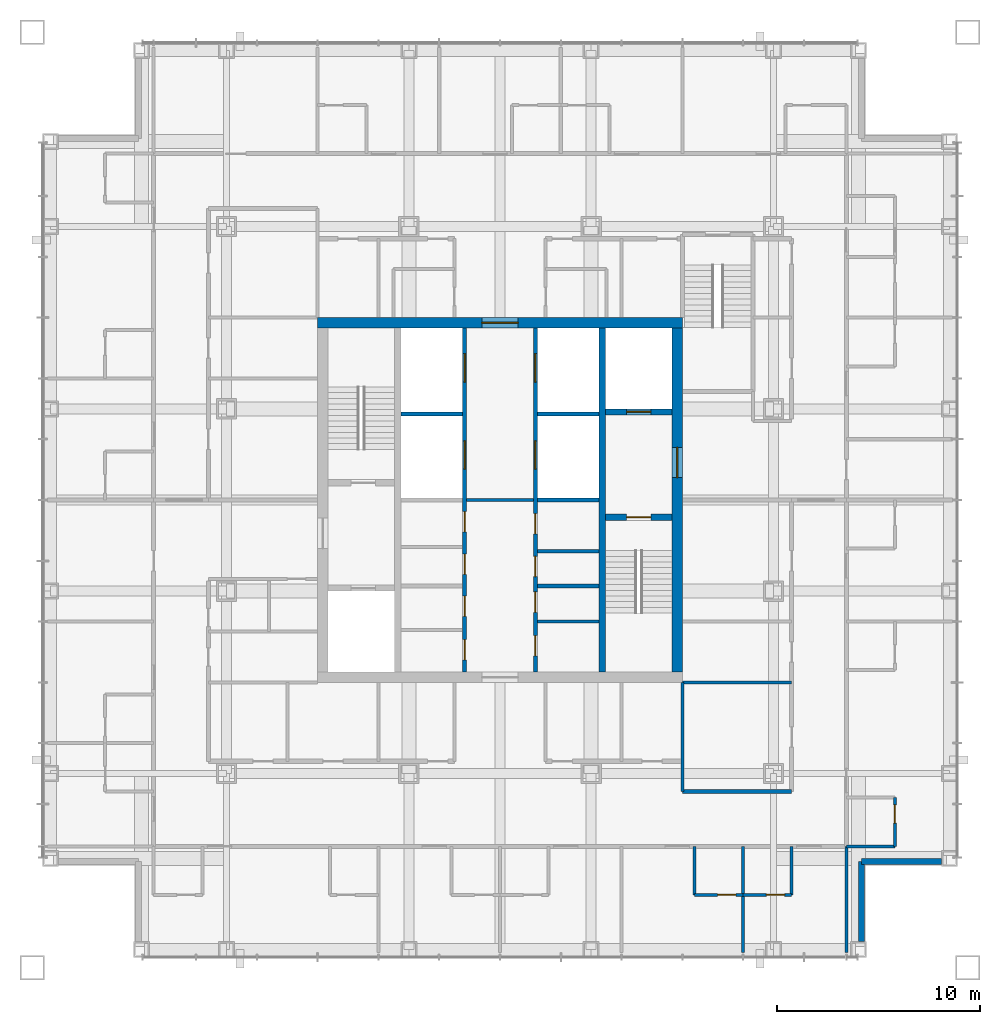
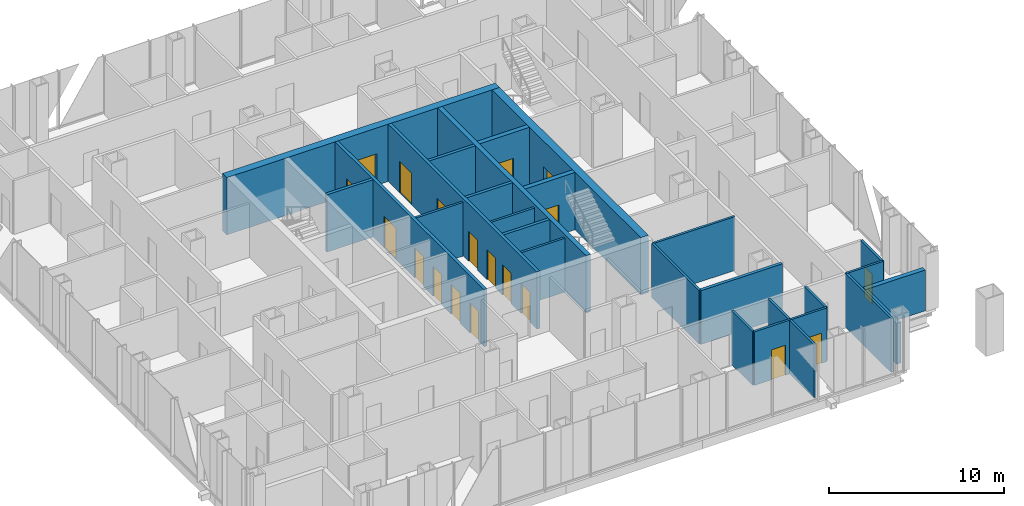
# One storey, part 14 of 18: 27 walls, 19 doors, 19 openings.
"""IFC4 building model written with IfcOpenShell, lengths in metres."""

from ifc_helpers import new_model, si_unit, direction, frame, frame_2d, origin, place, context, subcontext, project, spatial, rectangle, extrude, material, layer, layer_set, type_object, element, fill, save


model = new_model("IFC4")

# Units and contexts
model_context = context("Model", 3, precision=1e-05, world=origin(), true_north=direction((0.0, 1.0)))
body_context = subcontext(model_context, "Body", "Model", "MODEL_VIEW")
ifc_project = project(units=[si_unit("LENGTHUNIT", "METRE"), si_unit("AREAUNIT", "SQUARE_METRE"), si_unit("VOLUMEUNIT", "CUBIC_METRE"), si_unit("PLANEANGLEUNIT", "RADIAN"), si_unit("MASSUNIT", "GRAM", prefix="KILO")], contexts=[model_context])

# Site, building, storey
site_placement = place(None, origin())
site = spatial("IfcSite", under=ifc_project, at=site_placement, CompositionType="ELEMENT")
building_placement = place(site_placement, origin())
building = spatial("IfcBuilding", under=site, at=building_placement, Name="Malebo Sky Hospital", CompositionType="ELEMENT")
storey_placement = place(building_placement, frame((0.0, 0.0, 225.0)))
storey = spatial("IfcBuildingStorey", under=building, at=storey_placement, Name="L54", CompositionType="ELEMENT", Elevation=225.0)

# Wall, openings, doors
ifc_material_1 = material(Name="Concrete C80/95", Category="concrete")
ifc_layer_1 = layer(ifc_material_1, 0.199951171875)
ifc_layer_set_1 = layer_set([ifc_layer_1], Name="CORE INNER WALL 200")
wall_type_1 = type_object("IfcWallType", Name="CORE INNER WALL 200", PredefinedType="SHEAR", material=ifc_layer_set_1)
wall_1_placement = place(storey_placement, frame((58.25, 53.5, 0.0), z_axis=(0.0, 0.0, 1.0), x_axis=(0.0, 1.0, 0.0)))
wall_1 = element("IfcWall", 1, at=wall_1_placement, inside=storey, type_object=wall_type_1, Name="Core wall LW L54", PredefinedType="SHEAR", context=body_context, shape_type="SweptSolid", body=[
    extrude(rectangle(XDim=17.0, YDim=0.199951171875, at=frame_2d((8.5, 0.0))), origin(), (0.0, 0.0, 1.0), 4.0),
])
opening_1_placement = place(wall_1_placement, frame((0.60009765625, 0.0, 0.0)))
opening_1 = element("IfcOpeningElement", 2, at=opening_1_placement, cuts=wall_1, Name="Opening D17", PredefinedType="OPENING", context=body_context, shape_type="SweptSolid", body=[
    extrude(rectangle(XDim=1.0, YDim=2.10009765625, at=frame_2d((0.5, 1.050048828125))), frame((0.0, 0.10986328125, 0.0), z_axis=(0.0, -1.0, 0.0), x_axis=(1.0, 0.0, 0.0)), (0.0, 0.0, 1.0), 0.219970703125),
])
opening_2_placement = place(wall_1_placement, frame((2.75, 0.0, 0.0)))
opening_2 = element("IfcOpeningElement", 3, at=opening_2_placement, cuts=wall_1, Name="Opening D17", PredefinedType="OPENING", context=body_context, shape_type="SweptSolid", body=[
    extrude(rectangle(XDim=1.0, YDim=2.10009765625, at=frame_2d((0.5, 1.050048828125))), frame((0.0, 0.10986328125, 0.0), z_axis=(0.0, -1.0, 0.0), x_axis=(1.0, 0.0, 0.0)), (0.0, 0.0, 1.0), 0.219970703125),
])
opening_3_placement = place(wall_1_placement, frame((4.823974609375, 0.0, 0.0)))
opening_3 = element("IfcOpeningElement", 4, at=opening_3_placement, cuts=wall_1, Name="Opening D17", PredefinedType="OPENING", context=body_context, shape_type="SweptSolid", body=[
    extrude(rectangle(XDim=1.0, YDim=2.10009765625, at=frame_2d((0.5, 1.050048828125))), frame((0.0, 0.10986328125, 0.0), z_axis=(0.0, -1.0, 0.0), x_axis=(1.0, 0.0, 0.0)), (0.0, 0.0, 1.0), 0.219970703125),
])
opening_4_placement = place(wall_1_placement, frame((6.924072265625, 0.0, 0.0)))
opening_4 = element("IfcOpeningElement", 5, at=opening_4_placement, cuts=wall_1, Name="Opening D17", PredefinedType="OPENING", context=body_context, shape_type="SweptSolid", body=[
    extrude(rectangle(XDim=1.0, YDim=2.10009765625, at=frame_2d((0.5, 1.050048828125))), frame((0.0, 0.10986328125, 0.0), z_axis=(0.0, -1.0, 0.0), x_axis=(1.0, 0.0, 0.0)), (0.0, 0.0, 1.0), 0.219970703125),
])
opening_5_placement = place(wall_1_placement, frame((10.02490234375, 0.0, 0.0)))
opening_5 = element("IfcOpeningElement", 6, at=opening_5_placement, cuts=wall_1, Name="Opening LD1", PredefinedType="OPENING", context=body_context, shape_type="SweptSolid", body=[
    extrude(rectangle(XDim=1.39990234375, YDim=2.199951171875, at=frame_2d((0.699951171875, 1.10009765625))), frame((0.0, 0.10986328125, 0.0), z_axis=(0.0, -1.0, 0.0), x_axis=(1.0, 0.0, 0.0)), (0.0, 0.0, 1.0), 0.219970703125),
])
opening_6_placement = place(wall_1_placement, frame((14.324951171875, 0.0, 0.0)))
opening_6 = element("IfcOpeningElement", 7, at=opening_6_placement, cuts=wall_1, Name="Opening LD1", PredefinedType="OPENING", context=body_context, shape_type="SweptSolid", body=[
    extrude(rectangle(XDim=1.39990234375, YDim=2.199951171875, at=frame_2d((0.699951171875, 1.10009765625))), frame((0.0, 0.10986328125, 0.0), z_axis=(0.0, -1.0, 0.0), x_axis=(1.0, 0.0, 0.0)), (0.0, 0.0, 1.0), 0.219970703125),
])
ifc_material_2 = material(Name="Hardwood-faced door leaf in steel frame", Category="steel")
door_type_1 = type_object("IfcDoorType", Name="FIRE DOOR 1000", OperationType="SINGLE_SWING_LEFT", PredefinedType="DOOR", material=ifc_material_2)
door_1_placement = place(opening_1_placement, origin())
door_1 = element("IfcDoor", 8, at=door_1_placement, inside=storey, type_object=door_type_1, Name="Cleaning equipment store door", OperationType="SINGLE_SWING_RIGHT", OverallHeight=2.10009765625, OverallWidth=1.0, PredefinedType="DOOR", context=body_context, shape_type="SweptSolid", body=[
    extrude(rectangle(XDim=1.0, YDim=2.10009765625, at=frame_2d((0.5, 1.050048828125))), frame((0.0, 0.02490234375, 0.0), z_axis=(0.0, -1.0, 0.0), x_axis=(1.0, 0.0, 0.0)), (0.0, 0.0, 1.0), 0.050048828125),
])
fill(opening_1, door_1)
door_2_placement = place(opening_2_placement, origin())
door_2 = element("IfcDoor", 9, at=door_2_placement, inside=storey, type_object=door_type_1, Name="Archive store door", OperationType="SINGLE_SWING_RIGHT", OverallHeight=2.10009765625, OverallWidth=1.0, PredefinedType="DOOR", context=body_context, shape_type="SweptSolid", body=[
    extrude(rectangle(XDim=1.0, YDim=2.10009765625, at=frame_2d((0.5, 1.050048828125))), frame((0.0, 0.02490234375, 0.0), z_axis=(0.0, -1.0, 0.0), x_axis=(1.0, 0.0, 0.0)), (0.0, 0.0, 1.0), 0.050048828125),
])
fill(opening_2, door_2)
door_3_placement = place(opening_3_placement, origin())
door_3 = element("IfcDoor", 10, at=door_3_placement, inside=storey, type_object=door_type_1, Name="General store door", OperationType="SINGLE_SWING_RIGHT", OverallHeight=2.10009765625, OverallWidth=1.0, PredefinedType="DOOR", context=body_context, shape_type="SweptSolid", body=[
    extrude(rectangle(XDim=1.0, YDim=2.10009765625, at=frame_2d((0.5, 1.050048828125))), frame((0.0, 0.02490234375, 0.0), z_axis=(0.0, -1.0, 0.0), x_axis=(1.0, 0.0, 0.0)), (0.0, 0.0, 1.0), 0.050048828125),
])
fill(opening_3, door_3)
door_4_placement = place(opening_4_placement, origin())
door_4 = element("IfcDoor", 11, at=door_4_placement, inside=storey, type_object=door_type_1, Name="Records store door", OperationType="SINGLE_SWING_RIGHT", OverallHeight=2.10009765625, OverallWidth=1.0, PredefinedType="DOOR", context=body_context, shape_type="SweptSolid", body=[
    extrude(rectangle(XDim=1.0, YDim=2.10009765625, at=frame_2d((0.5, 1.050048828125))), frame((0.0, 0.02490234375, 0.0), z_axis=(0.0, -1.0, 0.0), x_axis=(1.0, 0.0, 0.0)), (0.0, 0.0, 1.0), 0.050048828125),
])
fill(opening_4, door_4)
ifc_material_3 = material(Name="Stainless steel sliding landing door", Category="steel")
door_type_2 = type_object("IfcDoorType", Name="LIFT LANDING DOOR 1400", OperationType="SLIDING_TO_LEFT", PredefinedType="DOOR", material=ifc_material_3)
door_5_placement = place(opening_5_placement, origin())
door_5 = element("IfcDoor", 12, at=door_5_placement, inside=storey, type_object=door_type_2, Name="Lift W3 landing door", OperationType="SLIDING_TO_LEFT", OverallHeight=2.199951171875, OverallWidth=1.39990234375, PredefinedType="DOOR", context=body_context, shape_type="SweptSolid", body=[
    extrude(rectangle(XDim=1.39990234375, YDim=2.199951171875, at=frame_2d((0.699951171875, 1.10009765625))), frame((0.0, 0.02490234375, 0.0), z_axis=(0.0, -1.0, 0.0), x_axis=(1.0, 0.0, 0.0)), (0.0, 0.0, 1.0), 0.050048828125),
])
fill(opening_5, door_5)
door_6_placement = place(opening_6_placement, origin())
door_6 = element("IfcDoor", 13, at=door_6_placement, inside=storey, type_object=door_type_2, Name="Lift W4 landing door", OperationType="SLIDING_TO_LEFT", OverallHeight=2.199951171875, OverallWidth=1.39990234375, PredefinedType="DOOR", context=body_context, shape_type="SweptSolid", body=[
    extrude(rectangle(XDim=1.39990234375, YDim=2.199951171875, at=frame_2d((0.699951171875, 1.10009765625))), frame((0.0, 0.02490234375, 0.0), z_axis=(0.0, -1.0, 0.0), x_axis=(1.0, 0.0, 0.0)), (0.0, 0.0, 1.0), 0.050048828125),
])
fill(opening_6, door_6)

wall_2_placement = place(storey_placement, frame((61.75, 53.5, 0.0), z_axis=(0.0, 0.0, 1.0), x_axis=(0.0, 1.0, 0.0)))
wall_2 = element("IfcWall", 14, at=wall_2_placement, inside=storey, type_object=wall_type_1, Name="Core wall LE L54", PredefinedType="SHEAR", context=body_context, shape_type="SweptSolid", body=[
    extrude(rectangle(XDim=17.0, YDim=0.199951171875, at=frame_2d((8.5, 0.0))), origin(), (0.0, 0.0, 1.0), 4.0),
])
opening_7_placement = place(wall_2_placement, frame((0.8076171875, 0.0, 0.0)))
opening_7 = element("IfcOpeningElement", 15, at=opening_7_placement, cuts=wall_2, Name="Opening D17", PredefinedType="OPENING", context=body_context, shape_type="SweptSolid", body=[
    extrude(rectangle(XDim=1.0, YDim=2.10009765625, at=frame_2d((0.5, 1.050048828125))), frame((0.0, 0.10986328125, 0.0), z_axis=(0.0, -1.0, 0.0), x_axis=(1.0, 0.0, 0.0)), (0.0, 0.0, 1.0), 0.219970703125),
])
opening_8_placement = place(wall_2_placement, frame((2.95751953125, 0.0, 0.0)))
opening_8 = element("IfcOpeningElement", 16, at=opening_8_placement, cuts=wall_2, Name="Opening D17", PredefinedType="OPENING", context=body_context, shape_type="SweptSolid", body=[
    extrude(rectangle(XDim=1.0, YDim=2.10009765625, at=frame_2d((0.5, 1.050048828125))), frame((0.0, 0.10986328125, 0.0), z_axis=(0.0, -1.0, 0.0), x_axis=(1.0, 0.0, 0.0)), (0.0, 0.0, 1.0), 0.219970703125),
])
opening_9_placement = place(wall_2_placement, frame((4.722412109375, 0.0, 0.0)))
opening_9 = element("IfcOpeningElement", 17, at=opening_9_placement, cuts=wall_2, Name="Opening D17", PredefinedType="OPENING", context=body_context, shape_type="SweptSolid", body=[
    extrude(rectangle(XDim=1.0, YDim=2.10009765625, at=frame_2d((0.5, 1.050048828125))), frame((0.0, 0.10986328125, 0.0), z_axis=(0.0, -1.0, 0.0), x_axis=(1.0, 0.0, 0.0)), (0.0, 0.0, 1.0), 0.219970703125),
])
opening_10_placement = place(wall_2_placement, frame((6.822509765625, 0.0, 0.0)))
opening_10 = element("IfcOpeningElement", 18, at=opening_10_placement, cuts=wall_2, Name="Opening D17", PredefinedType="OPENING", context=body_context, shape_type="SweptSolid", body=[
    extrude(rectangle(XDim=1.0, YDim=2.10009765625, at=frame_2d((0.5, 1.050048828125))), frame((0.0, 0.10986328125, 0.0), z_axis=(0.0, -1.0, 0.0), x_axis=(1.0, 0.0, 0.0)), (0.0, 0.0, 1.0), 0.219970703125),
])
opening_11_placement = place(wall_2_placement, frame((10.02490234375, 0.0, 0.0)))
opening_11 = element("IfcOpeningElement", 19, at=opening_11_placement, cuts=wall_2, Name="Opening LD1", PredefinedType="OPENING", context=body_context, shape_type="SweptSolid", body=[
    extrude(rectangle(XDim=1.39990234375, YDim=2.199951171875, at=frame_2d((0.699951171875, 1.10009765625))), frame((0.0, 0.10986328125, 0.0), z_axis=(0.0, -1.0, 0.0), x_axis=(1.0, 0.0, 0.0)), (0.0, 0.0, 1.0), 0.219970703125),
])
opening_12_placement = place(wall_2_placement, frame((14.324951171875, 0.0, 0.0)))
opening_12 = element("IfcOpeningElement", 20, at=opening_12_placement, cuts=wall_2, Name="Opening LD1", PredefinedType="OPENING", context=body_context, shape_type="SweptSolid", body=[
    extrude(rectangle(XDim=1.39990234375, YDim=2.199951171875, at=frame_2d((0.699951171875, 1.10009765625))), frame((0.0, 0.10986328125, 0.0), z_axis=(0.0, -1.0, 0.0), x_axis=(1.0, 0.0, 0.0)), (0.0, 0.0, 1.0), 0.219970703125),
])
door_7_placement = place(opening_7_placement, origin())
door_7 = element("IfcDoor", 21, at=door_7_placement, inside=storey, type_object=door_type_1, Name="Equipment store door", OperationType="SINGLE_SWING_RIGHT", OverallHeight=2.10009765625, OverallWidth=1.0, PredefinedType="DOOR", context=body_context, shape_type="SweptSolid", body=[
    extrude(rectangle(XDim=1.0, YDim=2.10009765625, at=frame_2d((0.5, 1.050048828125))), frame((0.0, 0.02490234375, 0.0), z_axis=(0.0, -1.0, 0.0), x_axis=(1.0, 0.0, 0.0)), (0.0, 0.0, 1.0), 0.050048828125),
])
fill(opening_7, door_7)
door_8_placement = place(opening_8_placement, origin())
door_8 = element("IfcDoor", 22, at=door_8_placement, inside=storey, type_object=door_type_1, Name="Linen store door", OperationType="SINGLE_SWING_RIGHT", OverallHeight=2.10009765625, OverallWidth=1.0, PredefinedType="DOOR", context=body_context, shape_type="SweptSolid", body=[
    extrude(rectangle(XDim=1.0, YDim=2.10009765625, at=frame_2d((0.5, 1.050048828125))), frame((0.0, 0.02490234375, 0.0), z_axis=(0.0, -1.0, 0.0), x_axis=(1.0, 0.0, 0.0)), (0.0, 0.0, 1.0), 0.050048828125),
])
fill(opening_8, door_8)
door_9_placement = place(opening_9_placement, origin())
door_9 = element("IfcDoor", 23, at=door_9_placement, inside=storey, type_object=door_type_1, Name="Supplies store door", OperationType="SINGLE_SWING_RIGHT", OverallHeight=2.10009765625, OverallWidth=1.0, PredefinedType="DOOR", context=body_context, shape_type="SweptSolid", body=[
    extrude(rectangle(XDim=1.0, YDim=2.10009765625, at=frame_2d((0.5, 1.050048828125))), frame((0.0, 0.02490234375, 0.0), z_axis=(0.0, -1.0, 0.0), x_axis=(1.0, 0.0, 0.0)), (0.0, 0.0, 1.0), 0.050048828125),
])
fill(opening_9, door_9)
door_10_placement = place(opening_10_placement, origin())
door_10 = element("IfcDoor", 24, at=door_10_placement, inside=storey, type_object=door_type_1, Name="Mattress store door", OperationType="SINGLE_SWING_RIGHT", OverallHeight=2.10009765625, OverallWidth=1.0, PredefinedType="DOOR", context=body_context, shape_type="SweptSolid", body=[
    extrude(rectangle(XDim=1.0, YDim=2.10009765625, at=frame_2d((0.5, 1.050048828125))), frame((0.0, 0.02490234375, 0.0), z_axis=(0.0, -1.0, 0.0), x_axis=(1.0, 0.0, 0.0)), (0.0, 0.0, 1.0), 0.050048828125),
])
fill(opening_10, door_10)
door_11_placement = place(opening_11_placement, origin())
door_11 = element("IfcDoor", 25, at=door_11_placement, inside=storey, type_object=door_type_2, Name="Lift E3 landing door", OperationType="SLIDING_TO_LEFT", OverallHeight=2.199951171875, OverallWidth=1.39990234375, PredefinedType="DOOR", context=body_context, shape_type="SweptSolid", body=[
    extrude(rectangle(XDim=1.39990234375, YDim=2.199951171875, at=frame_2d((0.699951171875, 1.10009765625))), frame((0.0, 0.02490234375, 0.0), z_axis=(0.0, -1.0, 0.0), x_axis=(1.0, 0.0, 0.0)), (0.0, 0.0, 1.0), 0.050048828125),
])
fill(opening_11, door_11)
door_12_placement = place(opening_12_placement, origin())
door_12 = element("IfcDoor", 26, at=door_12_placement, inside=storey, type_object=door_type_2, Name="Lift E4 landing door", OperationType="SLIDING_TO_LEFT", OverallHeight=2.199951171875, OverallWidth=1.39990234375, PredefinedType="DOOR", context=body_context, shape_type="SweptSolid", body=[
    extrude(rectangle(XDim=1.39990234375, YDim=2.199951171875, at=frame_2d((0.699951171875, 1.10009765625))), frame((0.0, 0.02490234375, 0.0), z_axis=(0.0, -1.0, 0.0), x_axis=(1.0, 0.0, 0.0)), (0.0, 0.0, 1.0), 0.050048828125),
])
fill(opening_12, door_12)

# Walls
for number, where, z_axis, x_axis, name in (
    (27, (61.85009765625, 57.75, 0.0), (0.0, 0.0, 1.0), (1.0, 0.0, 0.0), "Core wall SE0 L54"),
    (28, (61.85009765625, 62.0, 0.0), (0.0, 0.0, 1.0), (1.0, 0.0, 0.0), "Core wall SE1 L54"),
    (29, (55.10009765625, 66.25, 0.0), (0.0, 0.0, 1.0), (1.0, 0.0, 0.0), "Core wall SW2 L54"),
    (30, (61.85009765625, 66.25, 0.0), (0.0, 0.0, 1.0), (1.0, 0.0, 0.0), "Core wall SE2 L54"),
):
    element("IfcWall", number, at=place(storey_placement, frame(where, z_axis=z_axis, x_axis=x_axis)), inside=storey, type_object=wall_type_1, Name=name, PredefinedType="SHEAR", context=body_context, shape_type="SweptSolid", body=[
        extrude(rectangle(XDim=3.0498046875, YDim=0.199951171875, at=frame_2d((1.52490234375, 0.0))), origin(), (0.0, 0.0, 1.0), 4.0),
    ])
ifc_layer_2 = layer(ifc_material_1, 0.300048828125)
ifc_layer_set_2 = layer_set([ifc_layer_2], Name="CORE INNER WALL 300")
wall_type_2 = type_object("IfcWallType", Name="CORE INNER WALL 300", PredefinedType="SHEAR", material=ifc_layer_set_2)
wall_3_placement = place(storey_placement, frame((65.050048828125, 53.5, 0.0), z_axis=(0.0, 0.0, 1.0), x_axis=(0.0, 1.0, 0.0)))
element("IfcWall", 31, at=wall_3_placement, inside=storey, type_object=wall_type_2, Name="Core wall XE L54", PredefinedType="SHEAR", context=body_context, shape_type="SweptSolid", body=[
    extrude(rectangle(XDim=17.0, YDim=0.300048828125, at=frame_2d((8.5, 0.0))), origin(), (0.0, 0.0, 1.0), 4.0),
])

# Wall, opening, door
wall_4_placement = place(storey_placement, frame((65.199951171875, 61.14990234375, 0.0), z_axis=(0.0, 0.0, 1.0), x_axis=(1.0, 0.0, 0.0)))
wall_4 = element("IfcWall", 32, at=wall_4_placement, inside=storey, type_object=wall_type_2, Name="Core wall E1 L54", PredefinedType="SHEAR", context=body_context, shape_type="SweptSolid", body=[
    extrude(rectangle(XDim=3.300048828125, YDim=0.300048828125, at=frame_2d((1.64990234375, 0.0))), origin(), (0.0, 0.0, 1.0), 4.0),
])
opening_13_placement = place(wall_4_placement, frame((1.050048828125, 0.0, 0.0)))
opening_13 = element("IfcOpeningElement", 33, at=opening_13_placement, cuts=wall_4, Name="Opening D08", PredefinedType="OPENING", context=body_context, shape_type="SweptSolid", body=[
    extrude(rectangle(XDim=1.199951171875, YDim=2.10009765625, at=frame_2d((0.60009765625, 1.050048828125))), frame((0.0, 0.159912109375, 0.0), z_axis=(0.0, -1.0, 0.0), x_axis=(1.0, 0.0, 0.0)), (0.0, 0.0, 1.0), 0.320068359375),
])
door_type_3 = type_object("IfcDoorType", Name="STAIR DOOR 1200", OperationType="SINGLE_SWING_LEFT", PredefinedType="DOOR", material=ifc_material_2)
door_13_placement = place(opening_13_placement, origin())
door_13 = element("IfcDoor", 34, at=door_13_placement, inside=storey, type_object=door_type_3, Name="Stair S2 door", OperationType="SINGLE_SWING_LEFT", OverallHeight=2.10009765625, OverallWidth=1.199951171875, PredefinedType="DOOR", context=body_context, shape_type="SweptSolid", body=[
    extrude(rectangle(XDim=1.199951171875, YDim=2.10009765625, at=frame_2d((0.60009765625, 1.050048828125))), frame((0.0, 0.02490234375, 0.0), z_axis=(0.0, -1.0, 0.0), x_axis=(1.0, 0.0, 0.0)), (0.0, 0.0, 1.0), 0.050048828125),
])
fill(opening_13, door_13)

wall_5_placement = place(storey_placement, frame((65.199951171875, 66.35009765625, 0.0), z_axis=(0.0, 0.0, 1.0), x_axis=(1.0, 0.0, 0.0)))
wall_5 = element("IfcWall", 35, at=wall_5_placement, inside=storey, type_object=wall_type_2, Name="Core wall E2 L54", PredefinedType="SHEAR", context=body_context, shape_type="SweptSolid", body=[
    extrude(rectangle(XDim=3.300048828125, YDim=0.300048828125, at=frame_2d((1.64990234375, 0.0))), origin(), (0.0, 0.0, 1.0), 4.0),
])
opening_14_placement = place(wall_5_placement, frame((1.050048828125, 0.0, 0.0)))
opening_14 = element("IfcOpeningElement", 36, at=opening_14_placement, cuts=wall_5, Name="Opening LD2", PredefinedType="OPENING", context=body_context, shape_type="SweptSolid", body=[
    extrude(rectangle(XDim=1.199951171875, YDim=2.199951171875, at=frame_2d((0.60009765625, 1.10009765625))), frame((0.0, 0.159912109375, 0.0), z_axis=(0.0, -1.0, 0.0), x_axis=(1.0, 0.0, 0.0)), (0.0, 0.0, 1.0), 0.320068359375),
])
door_type_4 = type_object("IfcDoorType", Name="FIRE-FIGHTING LIFT LANDING DOOR 1200", OperationType="SLIDING_TO_LEFT", PredefinedType="DOOR", material=ifc_material_3)
door_14_placement = place(opening_14_placement, origin())
door_14 = element("IfcDoor", 37, at=door_14_placement, inside=storey, type_object=door_type_4, Name="Lift FL2 landing door", OperationType="SLIDING_TO_LEFT", OverallHeight=2.199951171875, OverallWidth=1.199951171875, PredefinedType="DOOR", context=body_context, shape_type="SweptSolid", body=[
    extrude(rectangle(XDim=1.199951171875, YDim=2.199951171875, at=frame_2d((0.60009765625, 1.10009765625))), frame((0.0, 0.02490234375, 0.0), z_axis=(0.0, -1.0, 0.0), x_axis=(1.0, 0.0, 0.0)), (0.0, 0.0, 1.0), 0.050048828125),
])
fill(opening_14, door_14)

ifc_layer_3 = layer(ifc_material_1, 0.5)
ifc_layer_set_3 = layer_set([ifc_layer_3], Name="CORE WALL 500")
wall_type_3 = type_object("IfcWallType", Name="CORE WALL 500", PredefinedType="SHEAR", material=ifc_layer_set_3)
wall_6_placement = place(storey_placement, frame((51.0, 70.75, 0.0), z_axis=(0.0, 0.0, 1.0), x_axis=(1.0, 0.0, 0.0)))
wall_6 = element("IfcWall", 38, at=wall_6_placement, inside=storey, type_object=wall_type_3, Name="Core wall N L54", PredefinedType="SHEAR", context=body_context, shape_type="SweptSolid", body=[
    extrude(rectangle(XDim=18.0, YDim=0.5, at=frame_2d((9.0, 0.0))), origin(), (0.0, 0.0, 1.0), 4.0),
])
opening_15_placement = place(wall_6_placement, frame((8.10009765625, 0.0, 0.0)))
opening_15 = element("IfcOpeningElement", 39, at=opening_15_placement, cuts=wall_6, Name="Opening D06", PredefinedType="OPENING", context=body_context, shape_type="SweptSolid", body=[
    extrude(rectangle(XDim=1.800048828125, YDim=2.199951171875, at=frame_2d((0.89990234375, 1.10009765625))), frame((0.0, 0.260009765625, 0.0), z_axis=(0.0, -1.0, 0.0), x_axis=(1.0, 0.0, 0.0)), (0.0, 0.0, 1.0), 0.52001953125),
])
door_type_5 = type_object("IfcDoorType", Name="LOBBY DOOR PAIR 1800", OperationType="DOUBLE_DOOR_SINGLE_SWING", PredefinedType="DOOR", material=ifc_material_2)
door_15_placement = place(opening_15_placement, origin())
door_15 = element("IfcDoor", 40, at=door_15_placement, inside=storey, type_object=door_type_5, Name="Lift lobby door north", OperationType="DOUBLE_DOOR_SINGLE_SWING", OverallHeight=2.199951171875, OverallWidth=1.800048828125, PredefinedType="DOOR", context=body_context, shape_type="SweptSolid", body=[
    extrude(rectangle(XDim=1.800048828125, YDim=2.199951171875, at=frame_2d((0.89990234375, 1.10009765625))), frame((0.0, 0.02490234375, 0.0), z_axis=(0.0, -1.0, 0.0), x_axis=(1.0, 0.0, 0.0)), (0.0, 0.0, 1.0), 0.050048828125),
])
fill(opening_15, door_15)

wall_7_placement = place(storey_placement, frame((68.75, 53.5, 0.0), z_axis=(0.0, 0.0, 1.0), x_axis=(0.0, 1.0, 0.0)))
wall_7 = element("IfcWall", 41, at=wall_7_placement, inside=storey, type_object=wall_type_3, Name="Core wall E L54", PredefinedType="SHEAR", context=body_context, shape_type="SweptSolid", body=[
    extrude(rectangle(XDim=17.0, YDim=0.5, at=frame_2d((8.5, 0.0))), origin(), (0.0, 0.0, 1.0), 4.0),
])
opening_16_placement = place(wall_7_placement, frame((9.60009765625, 0.0, 0.0)))
opening_16 = element("IfcOpeningElement", 42, at=opening_16_placement, cuts=wall_7, Name="Opening D07", PredefinedType="OPENING", context=body_context, shape_type="SweptSolid", body=[
    extrude(rectangle(XDim=1.5, YDim=2.199951171875, at=frame_2d((0.75, 1.10009765625))), frame((0.0, 0.260009765625, 0.0), z_axis=(0.0, -1.0, 0.0), x_axis=(1.0, 0.0, 0.0)), (0.0, 0.0, 1.0), 0.52001953125),
])
door_type_6 = type_object("IfcDoorType", Name="FIRE-FIGHTING LOBBY DOOR PAIR 1500", OperationType="DOUBLE_DOOR_SINGLE_SWING", PredefinedType="DOOR", material=ifc_material_2)
door_16_placement = place(opening_16_placement, origin())
door_16 = element("IfcDoor", 43, at=door_16_placement, inside=storey, type_object=door_type_6, Name="Fire-fighting lobby door east", OperationType="DOUBLE_DOOR_SINGLE_SWING", OverallHeight=2.199951171875, OverallWidth=1.5, PredefinedType="DOOR", context=body_context, shape_type="SweptSolid", body=[
    extrude(rectangle(XDim=1.5, YDim=2.199951171875, at=frame_2d((0.75, 1.10009765625))), frame((0.0, 0.02490234375, 0.0), z_axis=(0.0, -1.0, 0.0), x_axis=(1.0, 0.0, 0.0)), (0.0, 0.0, 1.0), 0.050048828125),
])
fill(opening_16, door_16)

# Walls
ifc_material_4 = material(Name="Gypsum board on steel studs", Category="steel")
ifc_layer_4 = layer(ifc_material_4, 0.199951171875)
ifc_layer_set_4 = layer_set([ifc_layer_4], Name="CORRIDOR WALL 200")
wall_type_4 = type_object("IfcWallType", Name="CORRIDOR WALL 200", PredefinedType="PARTITIONING", material=ifc_layer_set_4)
wall_8_placement = place(storey_placement, frame((74.39990234375, 47.60009765625, 0.0), z_axis=(0.0, 0.0, 1.0), x_axis=(-1.0, 0.0, 0.0)))
element("IfcWall", 44, at=wall_8_placement, inside=storey, type_object=wall_type_4, Name="Corridor Wall 200 SCIK", PredefinedType="PARTITIONING", context=body_context, shape_type="SweptSolid", body=[
    extrude(rectangle(XDim=5.39990234375, YDim=0.199951171875, at=frame_2d((2.699951171875, 0.0))), origin(), (0.0, 0.0, 1.0), 3.75),
])
ifc_material_5 = material(Name="Anodised aluminium rainscreen on steel framing", Category="steel")
ifc_layer_5 = layer(ifc_material_5, 0.300048828125)
ifc_layer_set_5 = layer_set([ifc_layer_5], Name="NOTCH RAINSCREEN WALL 300")
wall_type_5 = type_object("IfcWallType", Name="NOTCH RAINSCREEN WALL 300", PredefinedType="ELEMENTEDWALL", material=ifc_layer_set_5)
for number, where, z_axis, x_axis, name in (
    (45, (81.800048828125, 44.14990234375, 0.0), (0.0, 0.0, 1.0), (-1.0, 0.0, 0.0), "Notch rainscreen wall E1 L54"),
    (46, (77.85009765625, 44.14990234375, 0.0), (0.0, 0.0, 1.0), (0.0, -1.0, 0.0), "Notch rainscreen wall E2 L54"),
):
    element("IfcWall", number, at=place(storey_placement, frame(where, z_axis=z_axis, x_axis=x_axis)), inside=storey, type_object=wall_type_5, Name=name, PredefinedType="ELEMENTEDWALL", context=body_context, shape_type="SweptSolid", body=[
        extrude(rectangle(XDim=3.949951171875, YDim=0.300048828125, at=frame_2d((1.97509765625, 0.0))), origin(), (0.0, 0.0, 1.0), 2.85009765625),
    ])
ifc_layer_6 = layer(ifc_material_4, 0.14990234375)
ifc_layer_set_6 = layer_set([ifc_layer_6], Name="PARTITION 150")
wall_type_6 = type_object("IfcWallType", Name="PARTITION 150", PredefinedType="PARTITIONING", material=ifc_layer_set_6)
for number, where, z_axis, x_axis, name in (
    (47, (72.0, 44.89990234375, 0.0), (0.0, 0.0, 1.0), (0.0, -1.0, 0.0), "Partition 150 SP-12.0"),
    (48, (77.10009765625, 44.89990234375, 0.0), (0.0, 0.0, 1.0), (0.0, -1.0, 0.0), "Partition 150 SP0"),
):
    element("IfcWall", number, at=place(storey_placement, frame(where, z_axis=z_axis, x_axis=x_axis)), inside=storey, type_object=wall_type_6, Name=name, PredefinedType="PARTITIONING", context=body_context, shape_type="SweptSolid", body=[
        extrude(rectangle(XDim=5.25, YDim=0.14990234375, at=frame_2d((2.625, 0.0))), origin(), (0.0, 0.0, 1.0), 3.75),
    ])

# Wall, opening, door
wall_9_placement = place(storey_placement, frame((74.39990234375, 42.5, 0.0), z_axis=(0.0, 0.0, 1.0), x_axis=(-1.0, 0.0, 0.0)))
wall_9 = element("IfcWall", 49, at=wall_9_placement, inside=storey, type_object=wall_type_6, Name="Partition 150 SE0F", PredefinedType="PARTITIONING", context=body_context, shape_type="SweptSolid", body=[
    extrude(rectangle(XDim=2.39990234375, YDim=0.14990234375, at=frame_2d((1.199951171875, 0.0))), origin(), (0.0, 0.0, 1.0), 3.75),
])
opening_17_placement = place(wall_9_placement, frame((0.35009765625, 0.0, 0.0)))
opening_17 = element("IfcOpeningElement", 50, at=opening_17_placement, cuts=wall_9, Name="Opening D02", PredefinedType="OPENING", context=body_context, shape_type="SweptSolid", body=[
    extrude(rectangle(XDim=0.89990234375, YDim=2.10009765625, at=frame_2d((0.449951171875, 1.050048828125))), frame((0.0, 0.0849609375, 0.0), z_axis=(0.0, -1.0, 0.0), x_axis=(1.0, 0.0, 0.0)), (0.0, 0.0, 1.0), 0.169921875),
])
door_type_7 = type_object("IfcDoorType", Name="EN-SUITE DOOR 900", OperationType="SINGLE_SWING_LEFT", PredefinedType="DOOR", material=ifc_material_2)
door_17_placement = place(opening_17_placement, origin())
door_17 = element("IfcDoor", 51, at=door_17_placement, inside=storey, type_object=door_type_7, Name="En-suite door", OperationType="SINGLE_SWING_LEFT", OverallHeight=2.10009765625, OverallWidth=0.89990234375, PredefinedType="DOOR", context=body_context, shape_type="SweptSolid", body=[
    extrude(rectangle(XDim=0.89990234375, YDim=2.10009765625, at=frame_2d((0.449951171875, 1.050048828125))), frame((0.0, 0.02490234375, 0.0), z_axis=(0.0, -1.0, 0.0), x_axis=(1.0, 0.0, 0.0)), (0.0, 0.0, 1.0), 0.050048828125),
])
fill(opening_17, door_17)

# Wall
wall_10_placement = place(storey_placement, frame((74.39990234375, 44.89990234375, 0.0), z_axis=(0.0, 0.0, 1.0), x_axis=(0.0, -1.0, 0.0)))
element("IfcWall", 52, at=wall_10_placement, inside=storey, type_object=wall_type_6, Name="Partition 150 SE0S", PredefinedType="PARTITIONING", context=body_context, shape_type="SweptSolid", body=[
    extrude(rectangle(XDim=2.39990234375, YDim=0.14990234375, at=frame_2d((1.199951171875, 0.0))), origin(), (0.0, 0.0, 1.0), 3.75),
])

# Wall, opening, door
wall_11_placement = place(storey_placement, frame((72.0, 42.5, 0.0), z_axis=(0.0, 0.0, 1.0), x_axis=(-1.0, 0.0, 0.0)))
wall_11 = element("IfcWall", 53, at=wall_11_placement, inside=storey, type_object=wall_type_6, Name="Partition 150 SE1F", PredefinedType="PARTITIONING", context=body_context, shape_type="SweptSolid", body=[
    extrude(rectangle(XDim=2.39990234375, YDim=0.14990234375, at=frame_2d((1.199951171875, 0.0))), origin(), (0.0, 0.0, 1.0), 3.75),
])
opening_18_placement = place(wall_11_placement, frame((0.35009765625, 0.0, 0.0)))
opening_18 = element("IfcOpeningElement", 54, at=opening_18_placement, cuts=wall_11, Name="Opening D02", PredefinedType="OPENING", context=body_context, shape_type="SweptSolid", body=[
    extrude(rectangle(XDim=0.89990234375, YDim=2.10009765625, at=frame_2d((0.449951171875, 1.050048828125))), frame((0.0, 0.0849609375, 0.0), z_axis=(0.0, -1.0, 0.0), x_axis=(1.0, 0.0, 0.0)), (0.0, 0.0, 1.0), 0.169921875),
])
door_18_placement = place(opening_18_placement, origin())
door_18 = element("IfcDoor", 55, at=door_18_placement, inside=storey, type_object=door_type_7, Name="En-suite door", OperationType="SINGLE_SWING_LEFT", OverallHeight=2.10009765625, OverallWidth=0.89990234375, PredefinedType="DOOR", context=body_context, shape_type="SweptSolid", body=[
    extrude(rectangle(XDim=0.89990234375, YDim=2.10009765625, at=frame_2d((0.449951171875, 1.050048828125))), frame((0.0, 0.02490234375, 0.0), z_axis=(0.0, -1.0, 0.0), x_axis=(1.0, 0.0, 0.0)), (0.0, 0.0, 1.0), 0.050048828125),
])
fill(opening_18, door_18)

# Walls
wall_12_placement = place(storey_placement, frame((69.60009765625, 44.89990234375, 0.0), z_axis=(0.0, 0.0, 1.0), x_axis=(0.0, -1.0, 0.0)))
element("IfcWall", 56, at=wall_12_placement, inside=storey, type_object=wall_type_6, Name="Partition 150 SE1S", PredefinedType="PARTITIONING", context=body_context, shape_type="SweptSolid", body=[
    extrude(rectangle(XDim=2.39990234375, YDim=0.14990234375, at=frame_2d((1.199951171875, 0.0))), origin(), (0.0, 0.0, 1.0), 3.75),
])
wall_13_placement = place(storey_placement, frame((69.0, 53.0, 0.0), z_axis=(0.0, 0.0, 1.0), x_axis=(0.0, -1.0, 0.0)))
element("IfcWall", 57, at=wall_13_placement, inside=storey, type_object=wall_type_6, Name="Partition 150 SSP0", PredefinedType="PARTITIONING", context=body_context, shape_type="SweptSolid", body=[
    extrude(rectangle(XDim=5.39990234375, YDim=0.14990234375, at=frame_2d((2.699951171875, 0.0))), origin(), (0.0, 0.0, 1.0), 3.75),
])

# Wall, opening, door
wall_14_placement = place(storey_placement, frame((79.5, 47.300048828125, 0.0), z_axis=(0.0, 0.0, 1.0), x_axis=(0.0, -1.0, 0.0)))
wall_14 = element("IfcWall", 58, at=wall_14_placement, inside=storey, type_object=wall_type_6, Name="Partition 150 EE4F", PredefinedType="PARTITIONING", context=body_context, shape_type="SweptSolid", body=[
    extrude(rectangle(XDim=2.400146484375, YDim=0.14990234375, at=frame_2d((1.2001953125, 0.0))), origin(), (0.0, 0.0, 1.0), 3.75),
])
opening_19_placement = place(wall_14_placement, frame((0.35009765625, 0.0, 0.0)))
opening_19 = element("IfcOpeningElement", 59, at=opening_19_placement, cuts=wall_14, Name="Opening D02", PredefinedType="OPENING", context=body_context, shape_type="SweptSolid", body=[
    extrude(rectangle(XDim=0.89990234375, YDim=2.10009765625, at=frame_2d((0.449951171875, 1.050048828125))), frame((0.0, 0.0849609375, 0.0), z_axis=(0.0, -1.0, 0.0), x_axis=(1.0, 0.0, 0.0)), (0.0, 0.0, 1.0), 0.169921875),
])
door_19_placement = place(opening_19_placement, origin())
door_19 = element("IfcDoor", 60, at=door_19_placement, inside=storey, type_object=door_type_7, Name="En-suite door", OperationType="SINGLE_SWING_LEFT", OverallHeight=2.10009765625, OverallWidth=0.89990234375, PredefinedType="DOOR", context=body_context, shape_type="SweptSolid", body=[
    extrude(rectangle(XDim=0.89990234375, YDim=2.10009765625, at=frame_2d((0.449951171875, 1.050048828125))), frame((0.0, 0.02490234375, 0.0), z_axis=(0.0, -1.0, 0.0), x_axis=(1.0, 0.0, 0.0)), (0.0, 0.0, 1.0), 0.050048828125),
])
fill(opening_19, door_19)

# Walls
wall_15_placement = place(storey_placement, frame((77.10009765625, 44.89990234375, 0.0), z_axis=(0.0, 0.0, 1.0), x_axis=(1.0, 0.0, 0.0)))
element("IfcWall", 61, at=wall_15_placement, inside=storey, type_object=wall_type_6, Name="Partition 150 EEZ", PredefinedType="PARTITIONING", context=body_context, shape_type="SweptSolid", body=[
    extrude(rectangle(XDim=2.39990234375, YDim=0.14990234375, at=frame_2d((1.199951171875, 0.0))), origin(), (0.0, 0.0, 1.0), 3.75),
])
wall_16_placement = place(storey_placement, frame((69.0, 53.0, 0.0), z_axis=(0.0, 0.0, 1.0), x_axis=(1.0, 0.0, 0.0)))
element("IfcWall", 62, at=wall_16_placement, inside=storey, type_object=wall_type_6, Name="Partition 150 ESP+9.0", PredefinedType="PARTITIONING", context=body_context, shape_type="SweptSolid", body=[
    extrude(rectangle(XDim=5.39990234375, YDim=0.14990234375, at=frame_2d((2.699951171875, 0.0))), origin(), (0.0, 0.0, 1.0), 3.75),
])
for number, where, z_axis, x_axis, name in (
    (63, (61.85009765625, 55.989990234375, 0.0), (0.0, 0.0, 1.0), (1.0, 0.0, 0.0), "Partition 150 SHE1"),
    (64, (61.85009765625, 59.469970703125, 0.0), (0.0, 0.0, 1.0), (1.0, 0.0, 0.0), "Partition 150 SHE2"),
):
    element("IfcWall", number, at=place(storey_placement, frame(where, z_axis=z_axis, x_axis=x_axis)), inside=storey, type_object=wall_type_6, Name=name, PredefinedType="PARTITIONING", context=body_context, shape_type="SweptSolid", body=[
        extrude(rectangle(XDim=3.0498046875, YDim=0.14990234375, at=frame_2d((1.52490234375, 0.0))), origin(), (0.0, 0.0, 1.0), 3.75),
    ])
wall_17_placement = place(storey_placement, frame((58.35009765625, 62.0, 0.0), z_axis=(0.0, 0.0, 1.0), x_axis=(1.0, 0.0, 0.0)))
element("IfcWall", 65, at=wall_17_placement, inside=storey, type_object=wall_type_6, Name="Partition 150 LBS", PredefinedType="PARTITIONING", context=body_context, shape_type="SweptSolid", body=[
    extrude(rectangle(XDim=3.2998046875, YDim=0.14990234375, at=frame_2d((1.64990234375, 0.0))), origin(), (0.0, 0.0, 1.0), 3.75),
])

save(model, "model.ifc")
